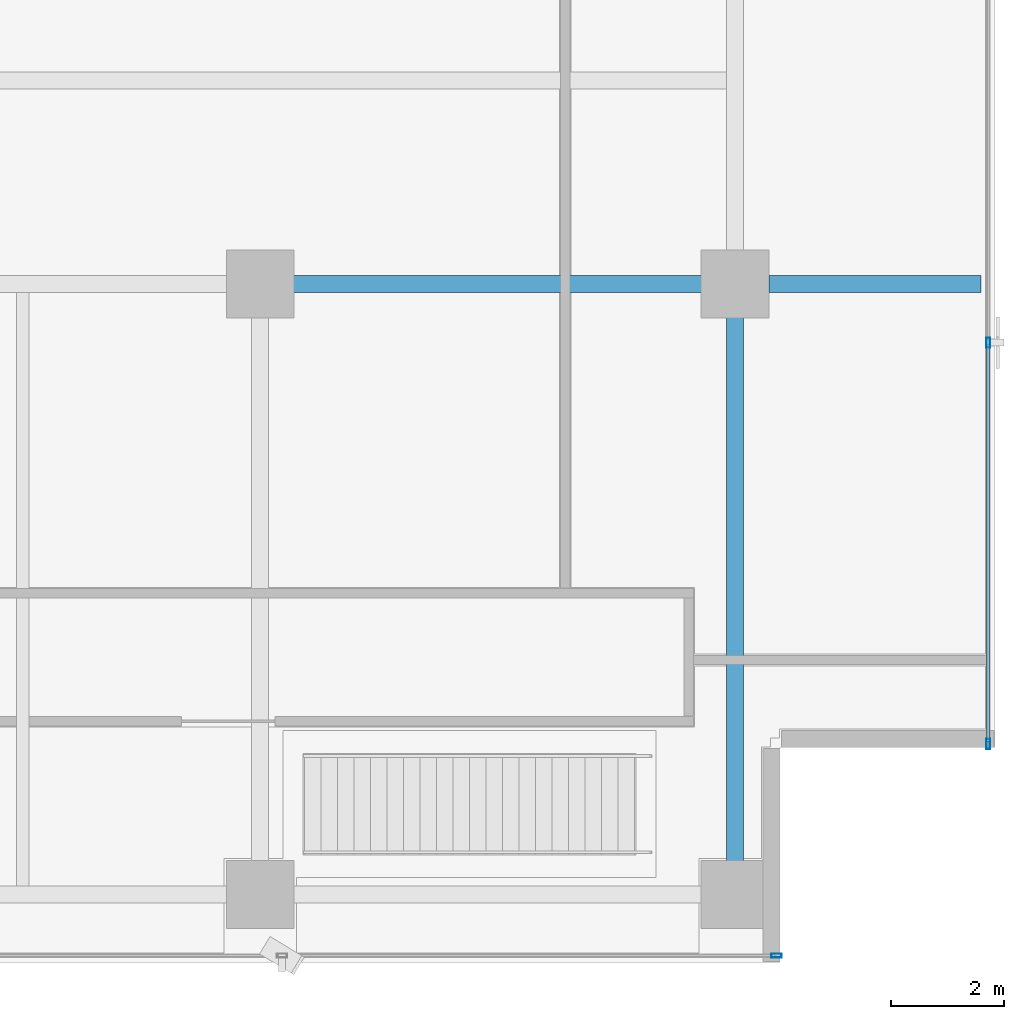
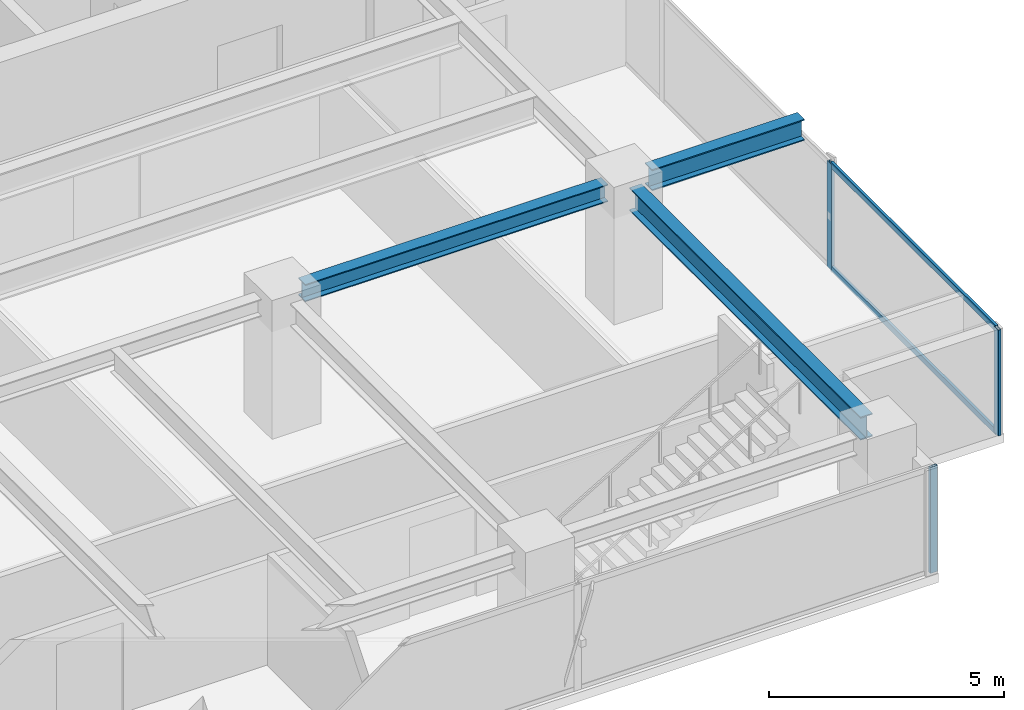
# One storey, part 8 of 22: 5 members, 3 beams, 2 elements without a shape of their own.
"""IFC4 building model written with IfcOpenShell, lengths in metres."""

from ifc_helpers import new_model, si_unit, direction, frame, origin, origin_2d, place, context, subcontext, project, spatial, hollow_rectangle, i_section, extrude, source, transform, mapped, material, layer, layer_set, material_profile, profile_set, type_object, element, aggregate, save


model = new_model("IFC4")

# Units and contexts
model_context = context("Model", 3, precision=1e-05, world=origin(), true_north=direction((0.0, 1.0)))
body_context = subcontext(model_context, "Body", "Model", "MODEL_VIEW")
ifc_project = project(units=[si_unit("LENGTHUNIT", "METRE"), si_unit("AREAUNIT", "SQUARE_METRE"), si_unit("VOLUMEUNIT", "CUBIC_METRE"), si_unit("PLANEANGLEUNIT", "RADIAN"), si_unit("MASSUNIT", "GRAM", prefix="KILO")], contexts=[model_context])

# Site, building, storey
site_placement = place(None, origin())
site = spatial("IfcSite", under=ifc_project, at=site_placement, CompositionType="ELEMENT")
building_placement = place(site_placement, origin())
building = spatial("IfcBuilding", under=site, at=building_placement, Name="Sumidabori Civic Tower", CompositionType="ELEMENT")
storey_placement = place(building_placement, frame((0.0, 0.0, 286.39990234375)))
storey = spatial("IfcBuildingStorey", under=building, at=storey_placement, Name="L75", CompositionType="ELEMENT", Elevation=286.39990234375)

# Beams
ifc_material_1 = material(Name="Steel SN490", Category="steel")
ifc_material_profile_1 = material_profile(ifc_material_1, i_section(OverallWidth=0.300048828125, OverallDepth=0.60009765625, WebThickness=0.015380859375, FlangeThickness=0.030029296875, at=origin_2d()), Name="HE 600 B")
ifc_profile_set_1 = profile_set([ifc_material_profile_1], Name="Steel SN490")
beam_type_1 = type_object("IfcBeamType", Name="BM-GIRD-600", PredefinedType="BEAM", material=ifc_profile_set_1)
shared_shape_1 = source(origin(), body_context, "Body", "SweptSolid", [
    extrude(i_section(OverallWidth=0.300048828125, OverallDepth=0.60009765625, WebThickness=0.015380859375, FlangeThickness=0.030029296875, at=origin_2d()), origin(), (0.0, 0.0, 1.0), 9.840087890625),
])
beam_1_placement = place(storey_placement, frame((16.800048828125, -10.320068359375, 3.070068359375), z_axis=(0.0, 1.0, 0.0), x_axis=(-1.0, 0.0, 0.0)))
element("IfcBeam", 1, at=beam_1_placement, inside=storey, type_object=beam_type_1, Name="Primary Girder L75 GY-15", PredefinedType="BEAM", context=body_context, shape_type="MappedRepresentation", body=[
    mapped(shared_shape_1, transform((0.0, 0.0, 0.0), x_axis=(1.0, 0.0, 0.0), y_axis=(0.0, 1.0, 0.0), z_axis=(0.0, 0.0, 1.0), scale=1.0)),
])
ifc_material_profile_2 = material_profile(ifc_material_1, i_section(OverallWidth=0.300048828125, OverallDepth=0.449951171875, WebThickness=0.013916015625, FlangeThickness=0.02587890625, at=origin_2d()), Name="HE 450 B")
ifc_profile_set_2 = profile_set([ifc_material_profile_2], Name="Steel SN490")
beam_type_2 = type_object("IfcBeamType", Name="BM-GIRD-450", PredefinedType="BEAM", material=ifc_profile_set_2)
shared_shape_2 = source(origin(), body_context, "Body", "SweptSolid", [
    extrude(i_section(OverallWidth=0.300048828125, OverallDepth=0.449951171875, WebThickness=0.013916015625, FlangeThickness=0.02587890625, at=origin_2d()), origin(), (0.0, 0.0, 1.0), 7.440185546875),
])
beam_2_placement = place(storey_placement, frame((8.8798828125, 0.0, 3.14501953125), z_axis=(1.0, 0.0, 0.0), x_axis=(0.0, 1.0, 0.0)))
element("IfcBeam", 2, at=beam_2_placement, inside=storey, type_object=beam_type_2, Name="Primary Girder L75 GX-08", PredefinedType="BEAM", context=body_context, shape_type="MappedRepresentation", body=[
    mapped(shared_shape_2, transform((0.0, 0.0, 0.0), x_axis=(1.0, 0.0, 0.0), y_axis=(0.0, 1.0, 0.0), z_axis=(0.0, 0.0, 1.0), scale=1.0)),
])
ifc_material_profile_3 = material_profile(ifc_material_1, i_section(OverallWidth=0.300048828125, OverallDepth=0.550048828125, WebThickness=0.014892578125, FlangeThickness=0.029052734375, at=origin_2d()), Name="HE 550 B")
ifc_profile_set_3 = profile_set([ifc_material_profile_3], Name="Steel SN490")
beam_type_3 = type_object("IfcBeamType", Name="BM-Z4-EDGE", PredefinedType="SPANDREL", material=ifc_profile_set_3)
shared_shape_3 = source(origin(), body_context, "Body", "SweptSolid", [
    extrude(i_section(OverallWidth=0.300048828125, OverallDepth=0.550048828125, WebThickness=0.014892578125, FlangeThickness=0.029052734375, at=origin_2d()), origin(), (0.0, 0.0, 1.0), 3.75),
])
beam_3_placement = place(storey_placement, frame((17.39990234375, 0.0, 3.09521484375), z_axis=(1.0, 0.0, 0.0), x_axis=(0.0, 1.0, 0.0)))
element("IfcBeam", 3, at=beam_3_placement, inside=storey, type_object=beam_type_3, Name="Perimeter Overhang Beam L75 E-18", PredefinedType="SPANDREL", context=body_context, shape_type="MappedRepresentation", body=[
    mapped(shared_shape_3, transform((0.0, 0.0, 0.0), x_axis=(1.0, 0.0, 0.0), y_axis=(0.0, 1.0, 0.0), z_axis=(0.0, 0.0, 1.0), scale=1.0)),
])

# Curtain wall, member
ifc_material_2 = material(Name="Anodised Bronze Aluminium AW-6063-T6", Category="aluminium")
ifc_layer = layer(ifc_material_2, 0.179931640625, Name="Anodised Bronze Aluminium AW-6063-T6")
ifc_layer_set = layer_set([ifc_layer], Name="Anodised Bronze Aluminium AW-6063-T6")
curtain_wall_type = type_object("IfcCurtainWallType", Name="CW-SYS-6", PredefinedType="NOTDEFINED", material=ifc_layer_set)
curtain_wall_1_placement = place(storey_placement, origin())
curtain_wall_1 = element("IfcCurtainWall", 4, at=curtain_wall_1_placement, inside=storey, type_object=curtain_wall_type, Name="Curtain Wall CW:L75:R01", PredefinedType="NOTDEFINED")
ifc_material_profile_4 = material_profile(ifc_material_2, hollow_rectangle(XDim=0.070068359375, YDim=0.179931640625, WallThickness=0.006103515625, at=origin_2d()), Name="ALU MULLION 180x70")
ifc_profile_set_4 = profile_set([ifc_material_profile_4], Name="Anodised Bronze Aluminium AW-6063-T6")
member_type_1 = type_object("IfcMemberType", Name="CW-MUL-180", PredefinedType="MULLION", material=ifc_profile_set_4)
shared_shape_4 = source(origin(), body_context, "Body", "SweptSolid", [
    extrude(hollow_rectangle(XDim=0.070068359375, YDim=0.179931640625, WallThickness=0.006103515625, at=origin_2d()), origin(), (0.0, 0.0, 1.0), 2.75),
])
member_1_placement = place(storey_placement, frame((17.534912109375, -11.8798828125, 0.0), z_axis=(0.0, 0.0, 1.0), x_axis=(0.0, 1.0, 0.0)))
member_1 = element("IfcMember", 5, at=member_1_placement, type_object=member_type_1, Name="CW-6 mullion 5", PredefinedType="MULLION", context=body_context, shape_type="MappedRepresentation", body=[
    mapped(shared_shape_4, transform((0.0, 0.0, 0.0), x_axis=(1.0, 0.0, 0.0), y_axis=(0.0, 1.0, 0.0), z_axis=(0.0, 0.0, 1.0), scale=1.0)),
])
aggregate(curtain_wall_1, [member_1])

# Curtain wall, members
curtain_wall_2_placement = place(storey_placement, origin())
curtain_wall_2 = element("IfcCurtainWall", 6, at=curtain_wall_2_placement, inside=storey, type_object=curtain_wall_type, Name="Curtain Wall CW:L75:R04", PredefinedType="NOTDEFINED")
member_2_placement = place(storey_placement, frame((21.280029296875, -8.135009765625, 0.0), z_axis=(0.0, 0.0, 1.0), x_axis=(-1.0, 0.0, 0.0)))
member_2 = element("IfcMember", 7, at=member_2_placement, type_object=member_type_1, Name="CW-6 mullion 1", PredefinedType="MULLION", context=body_context, shape_type="MappedRepresentation", body=[
    mapped(shared_shape_4, transform((0.0, 0.0, 0.0), x_axis=(1.0, 0.0, 0.0), y_axis=(0.0, 1.0, 0.0), z_axis=(0.0, 0.0, 1.0), scale=1.0)),
])
member_3_placement = place(storey_placement, frame((21.280029296875, -1.034912109375, 0.0), z_axis=(0.0, 0.0, 1.0), x_axis=(-1.0, 0.0, 0.0)))
member_3 = element("IfcMember", 8, at=member_3_placement, type_object=member_type_1, Name="CW-6 mullion 2", PredefinedType="MULLION", context=body_context, shape_type="MappedRepresentation", body=[
    mapped(shared_shape_4, transform((0.0, 0.0, 0.0), x_axis=(1.0, 0.0, 0.0), y_axis=(0.0, 1.0, 0.0), z_axis=(0.0, 0.0, 1.0), scale=1.0)),
])
ifc_material_profile_5 = material_profile(ifc_material_2, hollow_rectangle(XDim=0.06494140625, YDim=0.14990234375, WallThickness=0.0048828125, at=origin_2d()), Name="ALU TRANSOM 150x65")
ifc_profile_set_5 = profile_set([ifc_material_profile_5], Name="Anodised Bronze Aluminium AW-6063-T6")
member_type_2 = type_object("IfcMemberType", Name="CW-TRN-150", PredefinedType="USERDEFINED", material=ifc_profile_set_5)
shared_shape_5 = source(origin(), body_context, "Body", "SweptSolid", [
    extrude(hollow_rectangle(XDim=0.06494140625, YDim=0.14990234375, WallThickness=0.0048828125, at=origin_2d()), origin(), (0.0, 0.0, 1.0), 7.030029296875),
])
member_4_placement = place(storey_placement, frame((21.280029296875, -8.10009765625, 0.03271484375), z_axis=(0.0, 1.0, 0.0), x_axis=(-1.0, 0.0, 0.0)))
member_4 = element("IfcMember", 9, at=member_4_placement, type_object=member_type_2, Name="CW-6 transom 1.1", ObjectType="TRANSOM", PredefinedType="USERDEFINED", context=body_context, shape_type="MappedRepresentation", body=[
    mapped(shared_shape_5, transform((0.0, 0.0, 0.0), x_axis=(1.0, 0.0, 0.0), y_axis=(0.0, 1.0, 0.0), z_axis=(0.0, 0.0, 1.0), scale=1.0)),
])
member_5_placement = place(storey_placement, frame((21.280029296875, -8.10009765625, 2.717529296875), z_axis=(0.0, 1.0, 0.0), x_axis=(-1.0, 0.0, 0.0)))
member_5 = element("IfcMember", 10, at=member_5_placement, type_object=member_type_2, Name="CW-6 transom 1.2", ObjectType="TRANSOM", PredefinedType="USERDEFINED", context=body_context, shape_type="MappedRepresentation", body=[
    mapped(shared_shape_5, transform((0.0, 0.0, 0.0), x_axis=(1.0, 0.0, 0.0), y_axis=(0.0, 1.0, 0.0), z_axis=(0.0, 0.0, 1.0), scale=1.0)),
])
aggregate(curtain_wall_2, [member_2, member_3, member_4, member_5])

save(model, "model.ifc")
